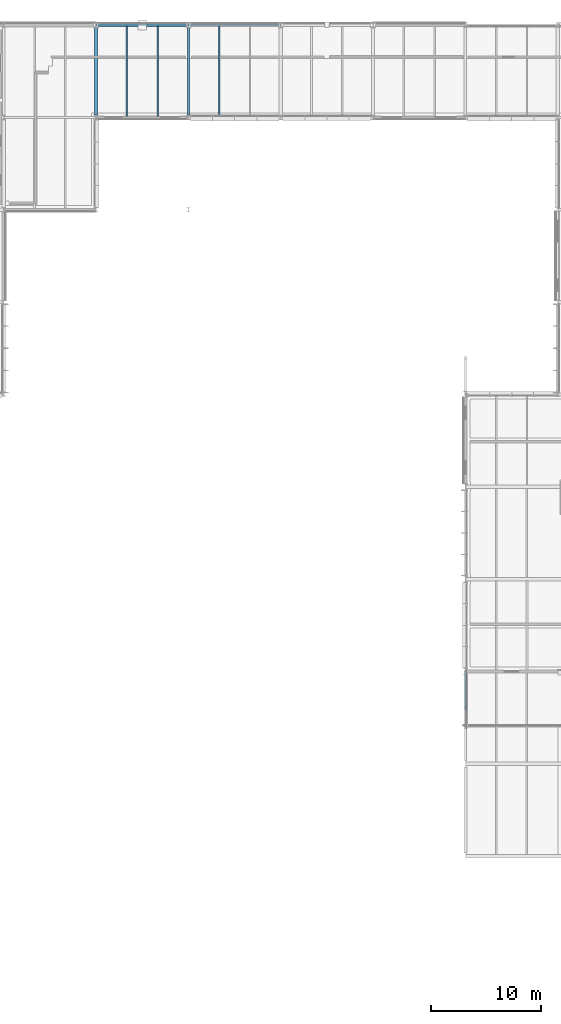
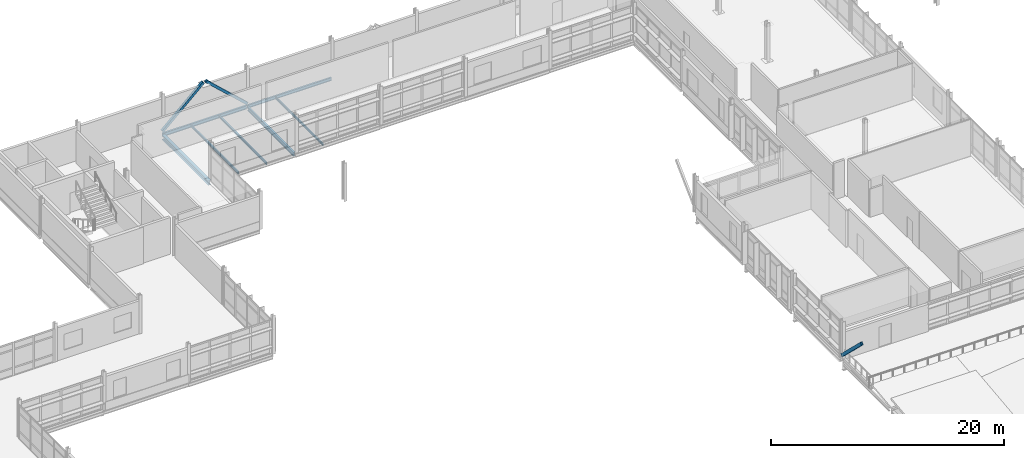
# One storey, part 28 of 103: 7 beams, 3 members.
"""IFC4 building model written with IfcOpenShell, lengths in metres."""

from ifc_helpers import new_model, si_unit, direction, frame, origin, origin_2d, place, context, subcontext, project, spatial, hollow_rectangle, i_section, extrude, material, material_profile, profile_set, type_object, element, save


model = new_model("IFC4")

# Units and contexts
model_context = context("Model", 3, precision=1e-05, world=origin(), true_north=direction((0.0, 1.0)))
body_context = subcontext(model_context, "Body", "Model", "MODEL_VIEW")
ifc_project = project(units=[si_unit("LENGTHUNIT", "METRE"), si_unit("AREAUNIT", "SQUARE_METRE"), si_unit("VOLUMEUNIT", "CUBIC_METRE"), si_unit("PLANEANGLEUNIT", "RADIAN"), si_unit("MASSUNIT", "GRAM", prefix="KILO")], contexts=[model_context])

# Site, building, storey
site_placement = place(None, origin())
site = spatial("IfcSite", under=ifc_project, at=site_placement, CompositionType="ELEMENT")
building_placement = place(site_placement, origin())
building = spatial("IfcBuilding", under=site, at=building_placement, Name="Mersafa Astral City Hall", CompositionType="ELEMENT")
storey_placement = place(building_placement, frame((0.0, 0.0, 18.0)))
storey = spatial("IfcBuildingStorey", under=building, at=storey_placement, Name="L04", CompositionType="ELEMENT", Elevation=18.0)

# Beams
ifc_material = material(Name="Steel S355", Category="steel")
ifc_material_profile_1 = material_profile(ifc_material, i_section(OverallWidth=0.300048828125, OverallDepth=0.489990234375, WebThickness=0.011962890625, FlangeThickness=0.02294921875, FilletRadius=0.027099609375, at=origin_2d()), Name="HEA 500")
ifc_profile_set_1 = profile_set([ifc_material_profile_1], Name="Steel S355")
beam_type_1 = type_object("IfcBeamType", Name="STR-BM-HEA500", PredefinedType="BEAM", material=ifc_profile_set_1)
beam_1_placement = place(storey_placement, frame((58.800048828125, 117.820068359375, -0.429931640625), z_axis=(0.0, 1.0, 0.0), x_axis=(-1.0, 0.0, 0.0)))
element("IfcBeam", 1, at=beam_1_placement, inside=storey, type_object=beam_type_1, Name="L04 Primary girder Y 7-14", PredefinedType="BEAM", context=body_context, shape_type="SweptSolid", body=[
    extrude(i_section(OverallWidth=0.300048828125, OverallDepth=0.489990234375, WebThickness=0.011962890625, FlangeThickness=0.02294921875, FilletRadius=0.027099609375, at=origin_2d()), origin(), (0.0, 0.0, 1.0), 7.9599609375),
])
ifc_material_profile_2 = material_profile(ifc_material, i_section(OverallWidth=0.179931640625, OverallDepth=0.39990234375, WebThickness=0.008544921875, FlangeThickness=0.013427734375, FilletRadius=0.02099609375, at=origin_2d()), Name="IPE 400")
ifc_profile_set_2 = profile_set([ifc_material_profile_2], Name="Steel S355")
beam_type_2 = type_object("IfcBeamType", Name="STR-BM-IPE400", PredefinedType="BEAM", material=ifc_profile_set_2)
beam_2_placement = place(storey_placement, frame((67.199951171875, 117.820068359375, -0.385009765625), z_axis=(0.0, 1.0, 0.0), x_axis=(-1.0, 0.0, 0.0)))
element("IfcBeam", 2, at=beam_2_placement, inside=storey, type_object=beam_type_2, Name="L04 Primary girder Y 8-14", PredefinedType="BEAM", context=body_context, shape_type="SweptSolid", body=[
    extrude(i_section(OverallWidth=0.179931640625, OverallDepth=0.39990234375, WebThickness=0.008544921875, FlangeThickness=0.013427734375, FilletRadius=0.02099609375, at=origin_2d()), origin(), (0.0, 0.0, 1.0), 7.9599609375),
])
ifc_material_profile_3 = material_profile(ifc_material, i_section(OverallWidth=0.110107421875, OverallDepth=0.219970703125, WebThickness=0.005859375, FlangeThickness=0.00927734375, FilletRadius=0.011962890625, at=origin_2d()), Name="IPE 220")
ifc_profile_set_3 = profile_set([ifc_material_profile_3], Name="Steel S355")
beam_type_3 = type_object("IfcBeamType", Name="STR-BM-JOIST-IPE220", PredefinedType="JOIST", material=ifc_profile_set_3)
beam_3_placement = place(storey_placement, frame((70.0, 117.679931640625, -0.294921875), z_axis=(0.0, 1.0, 0.0), x_axis=(-1.0, 0.0, 0.0)))
element("IfcBeam", 3, at=beam_3_placement, inside=storey, type_object=beam_type_3, Name="L04 Composite secondary floor joist 704", PredefinedType="JOIST", context=body_context, shape_type="SweptSolid", body=[
    extrude(i_section(OverallWidth=0.110107421875, OverallDepth=0.219970703125, WebThickness=0.005859375, FlangeThickness=0.00927734375, FilletRadius=0.011962890625, at=origin_2d()), origin(), (0.0, 0.0, 1.0), 8.2451171875),
])
ifc_material_profile_4 = material_profile(ifc_material, i_section(OverallWidth=0.1201171875, OverallDepth=0.239990234375, WebThickness=0.006103515625, FlangeThickness=0.009765625, FilletRadius=0.014892578125, at=origin_2d()), Name="IPE 240")
ifc_profile_set_4 = profile_set([ifc_material_profile_4], Name="Steel S355")
beam_type_4 = type_object("IfcBeamType", Name="STR-BM-JOIST-IPE240", PredefinedType="JOIST", material=ifc_profile_set_4)
for number, where, z_axis, x_axis, name in (
    (4, (61.60009765625, 117.675048828125, -0.304931640625), (0.0, 1.0, 0.0), (-1.0, 0.0, 0.0), "L04 Composite secondary floor joist 702"),
    (5, (64.39990234375, 117.675048828125, -0.304931640625), (0.0, 1.0, 0.0), (-1.0, 0.0, 0.0), "L04 Composite secondary floor joist 703"),
):
    element("IfcBeam", number, at=place(storey_placement, frame(where, z_axis=z_axis, x_axis=x_axis)), inside=storey, type_object=beam_type_4, Name=name, PredefinedType="JOIST", context=body_context, shape_type="SweptSolid", body=[
        extrude(i_section(OverallWidth=0.1201171875, OverallDepth=0.239990234375, WebThickness=0.006103515625, FlangeThickness=0.009765625, FilletRadius=0.014892578125, at=origin_2d()), origin(), (0.0, 0.0, 1.0), 8.244873046875),
    ])
ifc_material_profile_5 = material_profile(ifc_material, i_section(OverallWidth=0.159912109375, OverallDepth=0.330078125, WebThickness=0.007568359375, FlangeThickness=0.011474609375, FilletRadius=0.01806640625, at=origin_2d()), Name="IPE 330")
ifc_profile_set_5 = profile_set([ifc_material_profile_5], Name="Steel S355")
beam_type_5 = type_object("IfcBeamType", Name="STR-BM-SPANDREL-IPE330", PredefinedType="SPANDREL", material=ifc_profile_set_5)
beam_4_placement = place(storey_placement, frame((67.202880859375, 126.0, -0.35009765625), z_axis=(1.0, 0.0, 0.0), x_axis=(0.0, 1.0, 0.0)))
element("IfcBeam", 6, at=beam_4_placement, inside=storey, type_object=beam_type_5, Name="L04 Primary girder X 8-15", PredefinedType="SPANDREL", context=body_context, shape_type="SweptSolid", body=[
    extrude(i_section(OverallWidth=0.159912109375, OverallDepth=0.330078125, WebThickness=0.007568359375, FlangeThickness=0.011474609375, FilletRadius=0.01806640625, at=origin_2d()), origin(), (0.0, 0.0, 1.0), 8.39404296875),
])
ifc_material_profile_6 = material_profile(ifc_material, i_section(OverallWidth=0.169921875, OverallDepth=0.360107421875, WebThickness=0.008056640625, FlangeThickness=0.0126953125, FilletRadius=0.01806640625, at=origin_2d()), Name="IPE 360")
ifc_profile_set_6 = profile_set([ifc_material_profile_6], Name="Steel S355")
beam_type_6 = type_object("IfcBeamType", Name="STR-BM-SPANDREL-IPE360", PredefinedType="SPANDREL", material=ifc_profile_set_6)
beam_5_placement = place(storey_placement, frame((58.802978515625, 126.0, -0.364990234375), z_axis=(1.0, 0.0, 0.0), x_axis=(0.0, 1.0, 0.0)))
element("IfcBeam", 7, at=beam_5_placement, inside=storey, type_object=beam_type_6, Name="L04 Primary girder X 7-15", PredefinedType="SPANDREL", context=body_context, shape_type="SweptSolid", body=[
    extrude(i_section(OverallWidth=0.169921875, OverallDepth=0.360107421875, WebThickness=0.008056640625, FlangeThickness=0.0126953125, FilletRadius=0.01806640625, at=origin_2d()), origin(), (0.0, 0.0, 1.0), 8.39404296875),
])

# Members
ifc_material_profile_7 = material_profile(ifc_material, hollow_rectangle(XDim=0.199951171875, YDim=0.300048828125, WallThickness=0.012451171875, at=origin_2d()), Name="RHS 200x300x12.5")
ifc_profile_set_7 = profile_set([ifc_material_profile_7], Name="Steel S355")
member_type_1 = type_object("IfcMemberType", Name="STR-MBR-STRUT-RHS200X300", PredefinedType="BRACE", material=ifc_profile_set_7)
member_placement = place(storey_placement, frame((92.39990234375, 67.199951171875, 0.39990234375), z_axis=(0.0, -0.718795502172, 0.695221566163), x_axis=(1.0, 0.0, 0.0)))
element("IfcMember", 8, at=member_placement, inside=storey, type_object=member_type_1, Name="L04 Raked cosmic eave strut ROOF-T4-V2 S-11", PredefinedType="BRACE", context=body_context, shape_type="SweptSolid", body=[
    extrude(hollow_rectangle(XDim=0.199951171875, YDim=0.300048828125, WallThickness=0.012451171875, at=origin_2d()), origin(), (0.0, 0.0, 1.0), 4.660400390625),
])
ifc_material_profile_8 = material_profile(ifc_material, hollow_rectangle(XDim=0.25, YDim=0.25, WallThickness=0.012451171875, at=origin_2d()), Name="RHS 250x250x12.5")
ifc_profile_set_8 = profile_set([ifc_material_profile_8], Name="Steel S355")
member_type_2 = type_object("IfcMemberType", Name="STR-MBR-STRUT-RHS250", PredefinedType="BRACE", material=ifc_profile_set_8)
for number, where, z_axis, x_axis, name in (
    (9, (58.798095703125, 126.0, 0.02001953125), (0.734762808877, 0.0, 0.678324122151), (0.0, 1.0, 0.0), "L04 Chevron lateral brace 6A"),
    (10, (67.201904296875, 126.0, 0.02001953125), (-0.734762808877, 0.0, 0.678324122151), (0.0, -1.0, 0.0), "L04 Chevron lateral brace 6B"),
):
    element("IfcMember", number, at=place(storey_placement, frame(where, z_axis=z_axis, x_axis=x_axis)), inside=storey, type_object=member_type_2, Name=name, PredefinedType="BRACE", context=body_context, shape_type="SweptSolid", body=[
        extrude(hollow_rectangle(XDim=0.25, YDim=0.25, WallThickness=0.012451171875, at=origin_2d()), origin(), (0.0, 0.0, 1.0), 5.5283203125),
    ])

save(model, "model.ifc")
